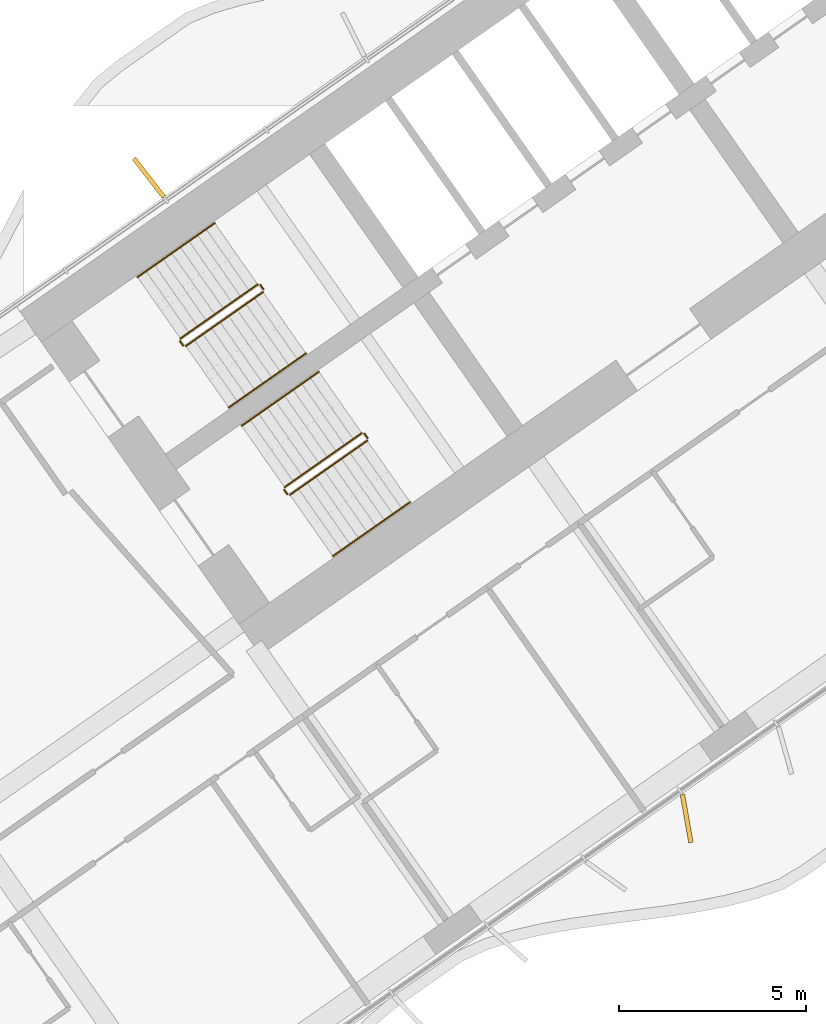
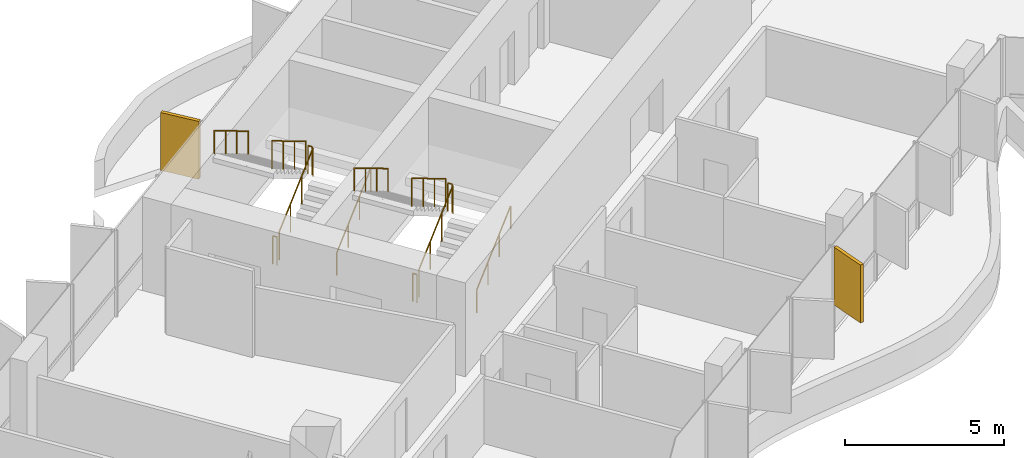
# One storey, part 20 of 24: 12 railings, 2 shading devices.
"""IFC4 building model written with IfcOpenShell, lengths in metres."""

from ifc_helpers import new_model, si_unit, direction, frame, origin, origin_2d, place, context, subcontext, project, spatial, rectangle, circle, extrude, material, layer, layer_set, type_object, element, save


model = new_model("IFC4")

# Units and contexts
model_context = context("Model", 3, precision=1e-05, world=origin(), true_north=direction((0.0, 1.0)))
body_context = subcontext(model_context, "Body", "Model", "MODEL_VIEW")
ifc_project = project(units=[si_unit("LENGTHUNIT", "METRE"), si_unit("AREAUNIT", "SQUARE_METRE"), si_unit("VOLUMEUNIT", "CUBIC_METRE"), si_unit("PLANEANGLEUNIT", "RADIAN"), si_unit("MASSUNIT", "GRAM", prefix="KILO")], contexts=[model_context])

# Site, building, storey
site_placement = place(None, origin())
site = spatial("IfcSite", under=ifc_project, at=site_placement, CompositionType="ELEMENT")
building_placement = place(site_placement, origin())
building = spatial("IfcBuilding", under=site, at=building_placement, Name="Tel Ilan Convention Tower", CompositionType="ELEMENT")
storey_placement = place(building_placement, frame((0.0, 0.0, 65.300048828125)))
storey = spatial("IfcBuildingStorey", under=building, at=storey_placement, Name="L11", CompositionType="ELEMENT", Elevation=65.300048828125)

# Shading devices
ifc_material_1 = material(Name="Aluminium, bronze anodised", Category="aluminium")
ifc_layer = layer(ifc_material_1, 0.1201171875)
ifc_layer_set = layer_set([ifc_layer], Name="FIN BRONZE 1300x120")
shading_device_type = type_object("IfcShadingDeviceType", Name="FIN BRONZE 1300x120", PredefinedType="USERDEFINED", material=ifc_layer_set)
for number, where, z_axis, x_axis, name in (
    (1, (-24.52197265625, -3.556884765625, 1.10009765625), (0.0, 0.0, 1.0), (-0.612600545196, 0.790392669516, 0.0), "FIN"),
    (2, (-10.152587890625, -20.676513671875, 1.10009765625), (0.0, 0.0, 1.0), (0.173648177667, -0.984807753012, 0.0), "FIN"),
):
    element("IfcShadingDevice", number, at=place(storey_placement, frame(where, z_axis=z_axis, x_axis=x_axis)), inside=storey, type_object=shading_device_type, Name=name, ObjectType="FIN", PredefinedType="USERDEFINED", context=body_context, shape_type="SweptSolid", body=[
        extrude(rectangle(XDim=1.300048828125, YDim=0.1201171875, at=origin_2d()), origin(), (0.0, 0.0, 1.0), 2.219970703125),
    ])

# Railings
ifc_material_2 = material(Name="Stainless Steel Grade 316", Category="steel")
railing_type_1 = type_object("IfcRailingType", Name="Stainless Steel Stair Guard 1100 mm", PredefinedType="GUARDRAIL", material=ifc_material_2)
railing_1_placement = place(storey_placement, frame((-23.535400390625, -8.056396484375, 0.179931640625)))
element("IfcRailing", 3, at=railing_1_placement, inside=storey, type_object=railing_type_1, Name="L11 S1 stair guard 1", PredefinedType="GUARDRAIL", context=body_context, shape_type="SweptSolid", body=[
    extrude(circle(Radius=0.02392578125, at=origin_2d()), frame((0.0, 0.0, 1.076171875), z_axis=(0.689013013563, 0.482512838948, 0.540779462804), x_axis=(-0.573624882958, 0.819118119475, 0.0)), (0.0, 0.0, 1.0), 2.995849609375),
    extrude(circle(Radius=0.02099609375, at=origin_2d()), origin(), (0.0, 0.0, 1.0), 1.052001953125),
    extrude(circle(Radius=0.02099609375, at=origin_2d()), frame((0.68798828125, 0.48193359375, 0.5400390625)), (0.0, 0.0, 1.0), 1.052001953125),
    extrude(circle(Radius=0.02099609375, at=origin_2d()), frame((1.376220703125, 0.963623046875, 1.080078125)), (0.0, 0.0, 1.0), 1.052001953125),
    extrude(circle(Radius=0.02099609375, at=origin_2d()), frame((2.064208984375, 1.445556640625, 1.6201171875)), (0.0, 0.0, 1.0), 1.052001953125),
])
railing_2_placement = place(storey_placement, frame((-21.458984375, -6.541259765625, 1.800048828125)))
element("IfcRailing", 4, at=railing_2_placement, inside=storey, type_object=railing_type_1, Name="L11 S1 stair guard 2", PredefinedType="GUARDRAIL", context=body_context, shape_type="SweptSolid", body=[
    extrude(circle(Radius=0.02392578125, at=origin_2d()), frame((0.0, 0.0, 1.076171875), z_axis=(-0.573353020881, 0.819308436089, 0.0), x_axis=(-0.819308436089, -0.573353020881, 0.0)), (0.0, 0.0, 1.0), 0.14990234375),
    extrude(circle(Radius=0.02099609375, at=origin_2d()), origin(), (0.0, 0.0, 1.0), 1.052001953125),
    extrude(circle(Radius=0.02099609375, at=origin_2d()), frame((-0.0859375, 0.122802734375, 0.0)), (0.0, 0.0, 1.0), 1.052001953125),
])
railing_3_placement = place(storey_placement, frame((-21.614501953125, -6.406005859375, 1.97998046875)))
element("IfcRailing", 5, at=railing_3_placement, inside=storey, type_object=railing_type_1, Name="L11 S1 stair guard 3", PredefinedType="GUARDRAIL", context=body_context, shape_type="SweptSolid", body=[
    extrude(circle(Radius=0.02392578125, at=origin_2d()), frame((0.0, 0.0, 1.076171875), z_axis=(-0.689043377453, -0.48253410265, 0.540721798865), x_axis=(0.573624882958, -0.819118119475, 0.0)), (0.0, 0.0, 1.0), 2.995849609375),
    extrude(circle(Radius=0.02099609375, at=origin_2d()), origin(), (0.0, 0.0, 1.0), 1.052001953125),
    extrude(circle(Radius=0.02099609375, at=origin_2d()), frame((-0.68798828125, -0.48193359375, 0.5400390625)), (0.0, 0.0, 1.0), 1.052001953125),
    extrude(circle(Radius=0.02099609375, at=origin_2d()), frame((-1.376220703125, -0.963623046875, 1.079833984375)), (0.0, 0.0, 1.0), 1.052001953125),
    extrude(circle(Radius=0.02099609375, at=origin_2d()), frame((-2.064208984375, -1.445556640625, 1.619873046875)), (0.0, 0.0, 1.0), 1.052001953125),
])
railing_4_placement = place(storey_placement, frame((-23.60498046875, -8.0439453125, 0.0)))
element("IfcRailing", 6, at=railing_4_placement, inside=storey, type_object=railing_type_1, Name="L11 S1 stair guard 4", PredefinedType="GUARDRAIL", context=body_context, shape_type="SweptSolid", body=[
    extrude(circle(Radius=0.02392578125, at=origin_2d()), frame((0.0, 0.0, 1.076171875), z_axis=(-0.574444878118, 0.818543268254, 0.0), x_axis=(-0.818543268254, -0.574444878118, 0.0)), (0.0, 0.0, 1.0), 0.150146484375),
    extrude(circle(Radius=0.02099609375, at=origin_2d()), origin(), (0.0, 0.0, 1.0), 1.052001953125),
    extrude(circle(Radius=0.02099609375, at=origin_2d()), frame((-0.086181640625, 0.122802734375, 0.0)), (0.0, 0.0, 1.0), 1.052001953125),
])
railing_5_placement = place(storey_placement, frame((-20.753662109375, -12.029296875, 0.179931640625)))
element("IfcRailing", 7, at=railing_5_placement, inside=storey, type_object=railing_type_1, Name="L11 S2 stair guard 1", PredefinedType="GUARDRAIL", context=body_context, shape_type="SweptSolid", body=[
    extrude(circle(Radius=0.02392578125, at=origin_2d()), frame((0.0, 0.0, 1.076171875), z_axis=(0.689055814419, 0.482485747064, 0.540749099395), x_axis=(-0.573579365141, 0.81914999352, 0.0)), (0.0, 0.0, 1.0), 2.99609375),
    extrude(circle(Radius=0.02099609375, at=origin_2d()), origin(), (0.0, 0.0, 1.0), 1.052001953125),
    extrude(circle(Radius=0.02099609375, at=origin_2d()), frame((0.688232421875, 0.48193359375, 0.5400390625)), (0.0, 0.0, 1.0), 1.052001953125),
    extrude(circle(Radius=0.02099609375, at=origin_2d()), frame((1.376220703125, 0.963623046875, 1.080078125)), (0.0, 0.0, 1.0), 1.052001953125),
    extrude(circle(Radius=0.02099609375, at=origin_2d()), frame((2.064453125, 1.445556640625, 1.6201171875)), (0.0, 0.0, 1.0), 1.052001953125),
])
railing_6_placement = place(storey_placement, frame((-18.677001953125, -10.51416015625, 1.800048828125)))
element("IfcRailing", 8, at=railing_6_placement, inside=storey, type_object=railing_type_1, Name="L11 S2 stair guard 2", PredefinedType="GUARDRAIL", context=body_context, shape_type="SweptSolid", body=[
    extrude(circle(Radius=0.02392578125, at=origin_2d()), frame((0.0, 0.0, 1.076171875), z_axis=(-0.573353020881, 0.819308436089, 0.0), x_axis=(-0.819308436089, -0.573353020881, 0.0)), (0.0, 0.0, 1.0), 0.14990234375),
    extrude(circle(Radius=0.02099609375, at=origin_2d()), origin(), (0.0, 0.0, 1.0), 1.052001953125),
    extrude(circle(Radius=0.02099609375, at=origin_2d()), frame((-0.0859375, 0.122802734375, 0.0)), (0.0, 0.0, 1.0), 1.052001953125),
])
railing_7_placement = place(storey_placement, frame((-18.832763671875, -10.37890625, 1.97998046875)))
element("IfcRailing", 9, at=railing_7_placement, inside=storey, type_object=railing_type_1, Name="L11 S2 stair guard 3", PredefinedType="GUARDRAIL", context=body_context, shape_type="SweptSolid", body=[
    extrude(circle(Radius=0.02392578125, at=origin_2d()), frame((0.0, 0.0, 1.076171875), z_axis=(-0.689043377453, -0.48253410265, 0.540721798865), x_axis=(0.573624882958, -0.819118119475, 0.0)), (0.0, 0.0, 1.0), 2.995849609375),
    extrude(circle(Radius=0.02099609375, at=origin_2d()), origin(), (0.0, 0.0, 1.0), 1.052001953125),
    extrude(circle(Radius=0.02099609375, at=origin_2d()), frame((-0.68798828125, -0.48193359375, 0.5400390625)), (0.0, 0.0, 1.0), 1.052001953125),
    extrude(circle(Radius=0.02099609375, at=origin_2d()), frame((-1.376220703125, -0.963623046875, 1.079833984375)), (0.0, 0.0, 1.0), 1.052001953125),
    extrude(circle(Radius=0.02099609375, at=origin_2d()), frame((-2.064208984375, -1.445556640625, 1.619873046875)), (0.0, 0.0, 1.0), 1.052001953125),
])
railing_8_placement = place(storey_placement, frame((-20.8232421875, -12.016845703125, 0.0)))
element("IfcRailing", 10, at=railing_8_placement, inside=storey, type_object=railing_type_1, Name="L11 S2 stair guard 4", PredefinedType="GUARDRAIL", context=body_context, shape_type="SweptSolid", body=[
    extrude(circle(Radius=0.02392578125, at=origin_2d()), frame((0.0, 0.0, 1.076171875), z_axis=(-0.573353020881, 0.819308436089, 0.0), x_axis=(-0.819308436089, -0.573353020881, 0.0)), (0.0, 0.0, 1.0), 0.14990234375),
    extrude(circle(Radius=0.02099609375, at=origin_2d()), origin(), (0.0, 0.0, 1.0), 1.052001953125),
    extrude(circle(Radius=0.02099609375, at=origin_2d()), frame((-0.0859375, 0.122802734375, 0.0)), (0.0, 0.0, 1.0), 1.052001953125),
])
ifc_material_3 = material(Name="Stainless Steel Grade 316", Category="steel")
railing_type_2 = type_object("IfcRailingType", Name="Stainless Steel Stair Handrail 900 mm", PredefinedType="HANDRAIL", material=ifc_material_3)
railing_9_placement = place(storey_placement, frame((-22.38818359375, -9.694580078125, 0.179931640625)))
element("IfcRailing", 11, at=railing_9_placement, inside=storey, type_object=railing_type_2, Name="L11 S1 stair handrail 1", PredefinedType="HANDRAIL", context=body_context, shape_type="SweptSolid", body=[
    extrude(circle(Radius=0.02392578125, at=origin_2d()), frame((0.0, 0.0, 0.8759765625), z_axis=(0.689040105437, 0.482450316285, 0.54080072616), x_axis=(-0.573559875649, 0.819163639968, 0.0)), (0.0, 0.0, 1.0), 2.995849609375),
    extrude(circle(Radius=0.02099609375, at=origin_2d()), origin(), (0.0, 0.0, 1.0), 0.851806640625),
    extrude(circle(Radius=0.02099609375, at=origin_2d()), frame((0.68798828125, 0.481689453125, 0.5400390625)), (0.0, 0.0, 1.0), 0.851806640625),
    extrude(circle(Radius=0.02099609375, at=origin_2d()), frame((1.376220703125, 0.963623046875, 1.080078125)), (0.0, 0.0, 1.0), 0.851806640625),
    extrude(circle(Radius=0.02099609375, at=origin_2d()), frame((2.064208984375, 1.4453125, 1.6201171875)), (0.0, 0.0, 1.0), 0.851806640625),
])
railing_10_placement = place(storey_placement, frame((-22.76171875, -4.767822265625, 1.97998046875)))
element("IfcRailing", 12, at=railing_10_placement, inside=storey, type_object=railing_type_2, Name="L11 S1 stair handrail 2", PredefinedType="HANDRAIL", context=body_context, shape_type="SweptSolid", body=[
    extrude(circle(Radius=0.02392578125, at=origin_2d()), frame((0.0, 0.0, 0.8759765625), z_axis=(-0.68907047291, -0.482471578903, 0.540743061828), x_axis=(0.573559875649, -0.819163639968, 0.0)), (0.0, 0.0, 1.0), 2.99560546875),
    extrude(circle(Radius=0.02099609375, at=origin_2d()), origin(), (0.0, 0.0, 1.0), 0.851806640625),
    extrude(circle(Radius=0.02099609375, at=origin_2d()), frame((-0.68798828125, -0.481689453125, 0.5400390625)), (0.0, 0.0, 1.0), 0.851806640625),
    extrude(circle(Radius=0.02099609375, at=origin_2d()), frame((-1.376220703125, -0.963623046875, 1.079833984375)), (0.0, 0.0, 1.0), 0.851806640625),
    extrude(circle(Radius=0.02099609375, at=origin_2d()), frame((-2.064208984375, -1.4453125, 1.619873046875)), (0.0, 0.0, 1.0), 0.851806640625),
])
railing_11_placement = place(storey_placement, frame((-19.6064453125, -13.66748046875, 0.179931640625)))
element("IfcRailing", 13, at=railing_11_placement, inside=storey, type_object=railing_type_2, Name="L11 S2 stair handrail 1", PredefinedType="HANDRAIL", context=body_context, shape_type="SweptSolid", body=[
    extrude(circle(Radius=0.02392578125, at=origin_2d()), frame((0.0, 0.0, 0.8759765625), z_axis=(0.689040105437, 0.482450316285, 0.54080072616), x_axis=(-0.573559875649, 0.819163639968, 0.0)), (0.0, 0.0, 1.0), 2.995849609375),
    extrude(circle(Radius=0.02099609375, at=origin_2d()), origin(), (0.0, 0.0, 1.0), 0.851806640625),
    extrude(circle(Radius=0.02099609375, at=origin_2d()), frame((0.68798828125, 0.481689453125, 0.5400390625)), (0.0, 0.0, 1.0), 0.851806640625),
    extrude(circle(Radius=0.02099609375, at=origin_2d()), frame((1.376220703125, 0.963623046875, 1.080078125)), (0.0, 0.0, 1.0), 0.851806640625),
    extrude(circle(Radius=0.02099609375, at=origin_2d()), frame((2.064208984375, 1.4453125, 1.6201171875)), (0.0, 0.0, 1.0), 0.851806640625),
])
railing_12_placement = place(storey_placement, frame((-19.979736328125, -8.74072265625, 1.97998046875)))
element("IfcRailing", 14, at=railing_12_placement, inside=storey, type_object=railing_type_2, Name="L11 S2 stair handrail 2", PredefinedType="HANDRAIL", context=body_context, shape_type="SweptSolid", body=[
    extrude(circle(Radius=0.02392578125, at=origin_2d()), frame((0.0, 0.0, 0.8759765625), z_axis=(-0.689113270881, -0.482444484817, 0.540712695399), x_axis=(0.573514357932, -0.81919550856, 0.0)), (0.0, 0.0, 1.0), 2.995849609375),
    extrude(circle(Radius=0.02099609375, at=origin_2d()), origin(), (0.0, 0.0, 1.0), 0.851806640625),
    extrude(circle(Radius=0.02099609375, at=origin_2d()), frame((-0.688232421875, -0.481689453125, 0.5400390625)), (0.0, 0.0, 1.0), 0.851806640625),
    extrude(circle(Radius=0.02099609375, at=origin_2d()), frame((-1.376220703125, -0.963623046875, 1.079833984375)), (0.0, 0.0, 1.0), 0.851806640625),
    extrude(circle(Radius=0.02099609375, at=origin_2d()), frame((-2.064453125, -1.4453125, 1.619873046875)), (0.0, 0.0, 1.0), 0.851806640625),
])

save(model, "model.ifc")
